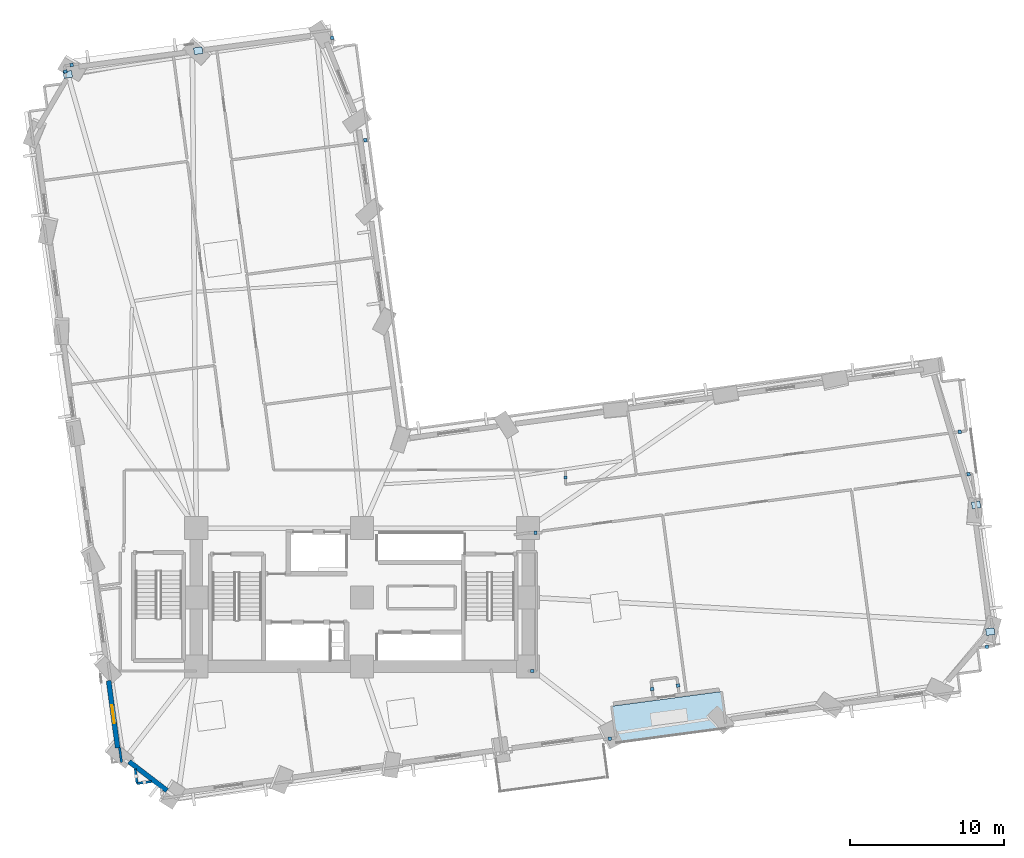
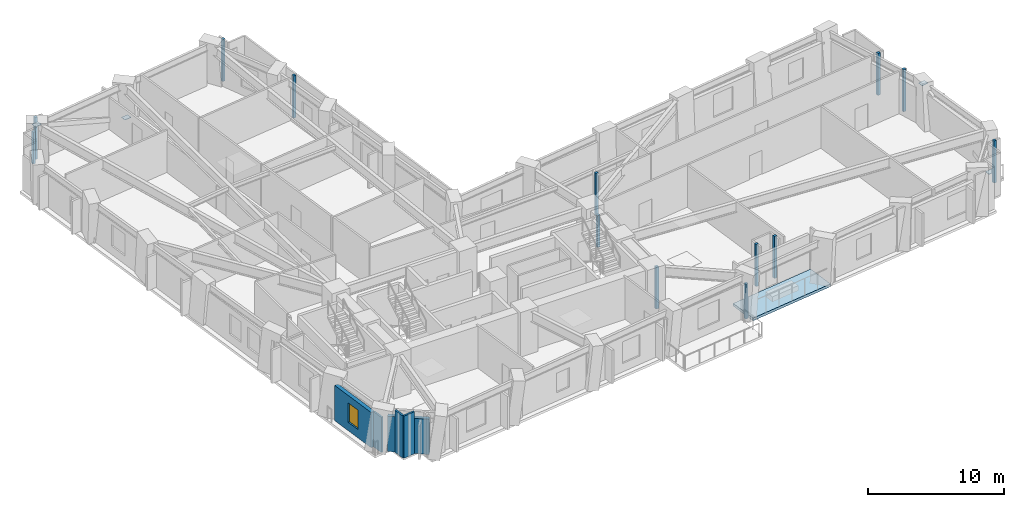
# One storey, part 5 of 14: 17 plates, 5 walls, 1 slab, 1 window, 1 opening.
"""IFC4 building model written with IfcOpenShell, lengths in metres."""

from ifc_helpers import new_model, si_unit, direction, frame, frame_2d, origin, origin_2d, place, context, subcontext, project, spatial, polyline, rectangle, outline, extrude, material, layer, layer_set, type_object, element, fill, save


model = new_model("IFC4")

# Units and contexts
model_context = context("Model", 3, precision=1e-05, world=origin(), true_north=direction((0.0, 1.0)))
body_context = subcontext(model_context, "Body", "Model", "MODEL_VIEW")
ifc_project = project(units=[si_unit("LENGTHUNIT", "METRE"), si_unit("AREAUNIT", "SQUARE_METRE"), si_unit("VOLUMEUNIT", "CUBIC_METRE"), si_unit("PLANEANGLEUNIT", "RADIAN"), si_unit("MASSUNIT", "GRAM", prefix="KILO")], contexts=[model_context])

# Site, building, storey
site_placement = place(None, origin())
site = spatial("IfcSite", under=ifc_project, at=site_placement, CompositionType="ELEMENT")
building_placement = place(site_placement, origin())
building = spatial("IfcBuilding", under=site, at=building_placement, Name="Gaonmaruhae Medical Tower", CompositionType="ELEMENT")
storey_placement = place(building_placement, frame((0.0, 0.0, 55.0)))
storey = spatial("IfcBuildingStorey", under=building, at=storey_placement, Name="L12", CompositionType="ELEMENT", Elevation=55.0)

# Plates
ifc_material_1 = material(Name="Steel HSA650 (650 MPa)", Category="steel")
ifc_layer_1 = layer(ifc_material_1, 0.028076171875)
ifc_layer_set_1 = layer_set([ifc_layer_1], Name="Steel HSA650 (650 MPa)")
plate_type_1 = type_object("IfcPlateType", Name="GP-02 Tube Brace End Cap Gusset Plate", PredefinedType="USERDEFINED", material=ifc_layer_set_1)
for number, where, z_axis, x_axis, name in (
    (1, (65.680908203125, 10.0634765625, 0.23583984375), (0.0, 0.0, 1.0), (0.991215540252, 0.132256390257, 0.0), "L12 Gusset Cap Plate PLT-L12-PBR-E01A"),
    (2, (64.760986328125, 18.310791015625, 3.51611328125), (0.0, 0.0, 1.0), (0.988886498745, 0.148672433897, 0.0), "L12 Gusset Cap Plate PLT-L12-PBR-E01B"),
    (3, (14.126708984375, 47.877197265625, 0.23583984375), (0.0, 0.0, 1.0), (0.991215540252, 0.132256390257, 0.0), "L12 Gusset Cap Plate PLT-L12-PBR-N02A"),
    (4, (5.637939453125, 46.33203125, 3.51611328125), (0.0, 0.0, 1.0), (0.988886498745, 0.148672433897, 0.0), "L12 Gusset Cap Plate PLT-L12-PBR-N02B"),
):
    element("IfcPlate", number, at=place(storey_placement, frame(where, z_axis=z_axis, x_axis=x_axis)), inside=storey, type_object=plate_type_1, Name=name, ObjectType="GUSSET_PLATE", PredefinedType="USERDEFINED", context=body_context, shape_type="SweptSolid", body=[
        extrude(rectangle(XDim=0.56005859375, YDim=0.43994140625, at=origin_2d()), origin(), (0.0, 0.0, 1.0), 0.028076171875),
    ])
ifc_material_2 = material(Name="Anodised aluminium 6063-T6", Category="aluminium")
ifc_layer_2 = layer(ifc_material_2, 0.011962890625)
ifc_layer_set_2 = layer_set([ifc_layer_2], Name="Anodised aluminium 6063-T6")
plate_type_2 = type_object("IfcPlateType", Name="PP-01 Interior Partition Corner Stiffener Plate", PredefinedType="SHEET", material=ifc_layer_set_2)
plate_1_placement = place(storey_placement, frame((35.875, 7.5, 0.0), z_axis=(0.0, 0.0, 1.0), x_axis=(1.0, 0.0, 0.0)))
element("IfcPlate", 5, at=plate_1_placement, inside=storey, type_object=plate_type_2, Name="L12 Partition Corner Stiffener Plate PLT-L12-JGP-PW019", PredefinedType="SHEET", context=body_context, shape_type="SweptSolid", body=[
    extrude(rectangle(XDim=0.219970703125, YDim=0.219970703125, at=origin_2d()), origin(), (0.0, 0.0, 1.0), 3.780029296875),
])
plate_2_placement = place(storey_placement, frame((36.08154296875, 16.5, 0.0), z_axis=(0.0, 0.0, 1.0), x_axis=(1.0, 0.0, 0.0)))
element("IfcPlate", 6, at=plate_2_placement, inside=storey, type_object=plate_type_2, Name="L12 Partition Corner Stiffener Plate PLT-L12-JGP-PW023", PredefinedType="SHEET", context=body_context, shape_type="SweptSolid", body=[
    extrude(rectangle(XDim=0.219970703125, YDim=0.219970703125, at=origin_2d()), origin(), (0.0, 0.0, 1.0), 2.864990234375),
])
for number, where, z_axis, x_axis, name in (
    (7, (45.35791015625, 6.556884765625, 0.0), (0.0, 0.0, 1.0), (-0.13265427901, 0.991162369272, 0.0), "L12 Partition Corner Stiffener Plate PLT-L12-JGP-PW026"),
    (8, (43.673095703125, 6.33251953125, 0.0), (0.0, 0.0, 1.0), (0.132792670091, -0.991143837579, 0.0), "L12 Partition Corner Stiffener Plate PLT-L12-JGP-PW028"),
):
    element("IfcPlate", number, at=place(storey_placement, frame(where, z_axis=z_axis, x_axis=x_axis)), inside=storey, type_object=plate_type_2, Name=name, PredefinedType="SHEET", context=body_context, shape_type="SweptSolid", body=[
        extrude(rectangle(XDim=0.219970703125, YDim=0.219970703125, at=origin_2d()), origin(), (0.0, 0.0, 1.0), 3.780029296875),
    ])
plate_3_placement = place(storey_placement, frame((40.91943359375, 3.096923828125, 0.0), z_axis=(0.0, 0.0, 1.0), x_axis=(-0.991162369272, -0.13265427901, 0.0)))
element("IfcPlate", 9, at=plate_3_placement, inside=storey, type_object=plate_type_2, Name="L12 Partition Corner Stiffener Plate PLT-L12-JGP-PW030", PredefinedType="SHEET", context=body_context, shape_type="SweptSolid", body=[
    extrude(rectangle(XDim=0.219970703125, YDim=0.219970703125, at=origin_2d()), origin(), (0.0, 0.0, 1.0), 3.14501953125),
])
for number, where, z_axis, x_axis, name in (
    (10, (64.26806640625, 20.31689453125, 0.0), (0.0, 0.0, 1.0), (0.991390099713, 0.130941476209, 0.0), "L12 Partition Corner Stiffener Plate PLT-L12-JGP-PW040"),
    (11, (65.45849609375, 9.074951171875, 0.0), (0.0, 0.0, 1.0), (-0.991194753238, -0.132412088398, 0.0), "L12 Partition Corner Stiffener Plate PLT-L12-JGP-PW044"),
):
    element("IfcPlate", number, at=place(storey_placement, frame(where, z_axis=z_axis, x_axis=x_axis)), inside=storey, type_object=plate_type_2, Name=name, PredefinedType="SHEET", context=body_context, shape_type="SweptSolid", body=[
        extrude(rectangle(XDim=0.219970703125, YDim=0.219970703125, at=origin_2d()), origin(), (0.0, 0.0, 1.0), 3.780029296875),
    ])
plate_4_placement = place(storey_placement, frame((5.47998046875, 46.52099609375, 0.0), z_axis=(0.0, 0.0, 1.0), x_axis=(-0.131979585508, 0.991252434554, 0.0)))
element("IfcPlate", 12, at=plate_4_placement, inside=storey, type_object=plate_type_2, Name="L12 Partition Corner Stiffener Plate PLT-L12-JGP-PW060", PredefinedType="SHEET", context=body_context, shape_type="SweptSolid", body=[
    extrude(rectangle(XDim=0.219970703125, YDim=0.219970703125, at=origin_2d()), origin(), (0.0, 0.0, 1.0), 2.864990234375),
])
for number, where, z_axis, x_axis, name in (
    (13, (5.883544921875, 46.949462890625, 0.0), (0.0, 0.0, 1.0), (0.991180881642, 0.132515885343, 0.0), "L12 Partition Corner Stiffener Plate PLT-L12-JGP-PW061"),
    (14, (38.030029296875, 20.1005859375, 0.0), (0.0, 0.0, 1.0), (0.0, 1.0, 0.0), "L12 Partition Corner Stiffener Plate PLT-L12-JGP-PW068"),
    (15, (63.69140625, 23.074462890625, 0.0), (0.0, 0.0, 1.0), (-0.991178568652, -0.132533184693, 0.0), "L12 Partition Corner Stiffener Plate PLT-L12-JGP-PW075"),
    (16, (25.009521484375, 42.054931640625, 0.0), (0.0, 0.0, 1.0), (-0.991275454239, -0.131806577311, 0.0), "L12 Partition Corner Stiffener Plate PLT-L12-JGP-PW087"),
    (17, (22.842529296875, 48.718505859375, 0.0), (0.0, 0.0, 1.0), (0.13194498419, -0.991257040907, 0.0), "L12 Partition Corner Stiffener Plate PLT-L12-JGP-PW090"),
):
    element("IfcPlate", number, at=place(storey_placement, frame(where, z_axis=z_axis, x_axis=x_axis)), inside=storey, type_object=plate_type_2, Name=name, PredefinedType="SHEET", context=body_context, shape_type="SweptSolid", body=[
        extrude(rectangle(XDim=0.219970703125, YDim=0.219970703125, at=origin_2d()), origin(), (0.0, 0.0, 1.0), 3.780029296875),
    ])

# Slab
ifc_material_3 = material(Name="Concrete C40/50", Category="concrete")
ifc_layer_3 = layer(ifc_material_3, 0.239990234375)
ifc_layer_set_3 = layer_set([ifc_layer_3], Name="Concrete C40/50")
slab_type = type_object("IfcSlabType", Name="TS-240 Sky Garden & Recovery Terrace Slab", PredefinedType="FLOOR", material=ifc_layer_set_3)
slab_placement = place(storey_placement, frame((0.0, 0.0, -0.239990234375)))
element("IfcSlab", 18, at=slab_placement, inside=storey, type_object=slab_type, Name="L12 Outdoor Recovery Terrace Slab", PredefinedType="FLOOR", context=body_context, shape_type="SweptSolid", body=[
    extrude(outline(polyline([(41.365234375, 2.833984375), (48.502197265625, 3.786376953125), (48.1845703125, 6.165283203125), (41.0478515625, 5.212890625), (41.365234375, 2.833984375)])), origin(), (0.0, 0.0, 1.0), 0.239990234375),
])

# Wall, opening, window
ifc_material_4 = material(Name="Precast concrete C45/55", Category="concrete")
ifc_layer_4 = layer(ifc_material_4, 0.320068359375)
ifc_layer_set_4 = layer_set([ifc_layer_4], Name="Precast concrete C45/55")
wall_type_1 = type_object("IfcWallType", Name="EW-320 Lower Precast Masonry-Frame Facade Wall", PredefinedType="SOLIDWALL", material=ifc_layer_set_4)
wall_1_placement = place(storey_placement, frame((8.8828125, 2.4951171875, 0.0), z_axis=(0.0, 0.0, 1.0), x_axis=(-0.13228320918, 0.991211961474, 0.0)))
wall_1 = element("IfcWall", 19, at=wall_1_placement, inside=storey, type_object=wall_type_1, Name="L12 Precast Masonry-Frame Wall W06-W07", PredefinedType="SOLIDWALL", context=body_context, shape_type="SweptSolid", body=[
    extrude(rectangle(XDim=4.41650390625, YDim=0.320068359375, at=frame_2d((2.208251953125, 0.0))), origin(), (0.0, 0.0, 1.0), 3.1650390625),
])
opening_placement = place(wall_1_placement, frame((1.610595703125, 0.0, 0.75)))
opening = element("IfcOpeningElement", 20, at=opening_placement, cuts=wall_1, Name="Opening WN-05", PredefinedType="OPENING", context=body_context, shape_type="SweptSolid", body=[
    extrude(rectangle(XDim=1.199951171875, YDim=1.75, at=frame_2d((0.60009765625, 0.875))), frame((0.0, 0.169921875, 0.0), z_axis=(0.0, -1.0, 0.0), x_axis=(1.0, 0.0, 0.0)), (0.0, 0.0, 1.0), 0.340087890625),
])
ifc_material_5 = material(Name="Anodised aluminium and Low-E double glazing", Category="aluminium")
window_type = type_object("IfcWindowType", Name="WN-05 Support & Staff Punched Window 1200x1750", PartitioningType="SINGLE_PANEL", PredefinedType="WINDOW", material=ifc_material_5)
window_placement = place(opening_placement, origin())
window = element("IfcWindow", 21, at=window_placement, inside=storey, type_object=window_type, Name="L12 Modular Facade Window W06", OverallHeight=1.75, OverallWidth=1.199951171875, PartitioningType="SINGLE_PANEL", PredefinedType="WINDOW", context=body_context, shape_type="SweptSolid", body=[
    extrude(rectangle(XDim=1.199951171875, YDim=1.75, at=frame_2d((0.60009765625, 0.875))), frame((0.0, 0.030029296875, 0.0), z_axis=(0.0, -1.0, 0.0), x_axis=(1.0, 0.0, 0.0)), (0.0, 0.0, 1.0), 0.06005859375),
])
fill(opening, window)

# Walls
wall_2_placement = place(storey_placement, frame((12.091552734375, -0.278564453125, 0.0), z_axis=(0.0, 0.0, 1.0), x_axis=(-0.794436084427, 0.60734776509, 0.0)))
element("IfcWall", 22, at=wall_2_placement, inside=storey, type_object=wall_type_1, Name="L12 Precast Masonry-Frame Wall W07-S01", PredefinedType="SOLIDWALL", context=body_context, shape_type="SweptSolid", body=[
    extrude(rectangle(XDim=3.099365234375, YDim=0.320068359375, at=frame_2d((1.5498046875, 0.0))), origin(), (0.0, 0.0, 1.0), 3.1650390625),
])
ifc_material_6 = material(Name="Gypsum board partition", Category="gypsum")
ifc_layer_5 = layer(ifc_material_6, 0.14990234375)
ifc_layer_set_5 = layer_set([ifc_layer_5], Name="Gypsum board partition")
wall_type_2 = type_object("IfcWallType", Name="PW-150 Rated Clinical Corridor Partition", PredefinedType="PARTITIONING", material=ifc_layer_set_5)
wall_3_placement = place(storey_placement, frame((11.10009765625, 0.30908203125, 0.0), z_axis=(0.0, 0.0, 1.0), x_axis=(-0.991158817009, -0.132680818001, 0.0)))
element("IfcWall", 23, at=wall_3_placement, inside=storey, type_object=wall_type_2, Name="L12 Interior Partition L12-SUP01-12", PredefinedType="PARTITIONING", context=body_context, shape_type="SweptSolid", body=[
    extrude(rectangle(XDim=0.958740234375, YDim=0.14990234375, at=frame_2d((0.4794921875, 0.0))), origin(), (0.0, 0.0, 1.0), 3.780029296875),
])
wall_4_placement = place(storey_placement, frame((10.14990234375, 0.181884765625, 0.0), z_axis=(0.0, 0.0, 1.0), x_axis=(-0.132297038047, 0.99121011583, 0.0)))
element("IfcWall", 24, at=wall_4_placement, inside=storey, type_object=wall_type_2, Name="L12 Interior Partition L12-SUP01-13", PredefinedType="PARTITIONING", context=body_context, shape_type="SweptSolid", body=[
    extrude(rectangle(XDim=0.959716796875, YDim=0.14990234375, at=frame_2d((0.47998046875, 0.0))), origin(), (0.0, 0.0, 1.0), 3.780029296875),
])
wall_5_placement = place(storey_placement, frame((9.134033203125, 1.56005859375, 0.0), z_axis=(0.0, 0.0, 1.0), x_axis=(-0.132197024608, 0.991223459511, 0.0)))
element("IfcWall", 25, at=wall_5_placement, inside=storey, type_object=wall_type_2, Name="L12 Interior Partition L12-SUP01-14", PredefinedType="PARTITIONING", context=body_context, shape_type="SweptSolid", body=[
    extrude(rectangle(XDim=0.96044921875, YDim=0.14990234375, at=frame_2d((0.480224609375, 0.0))), origin(), (0.0, 0.0, 1.0), 3.1650390625),
])

save(model, "model.ifc")
